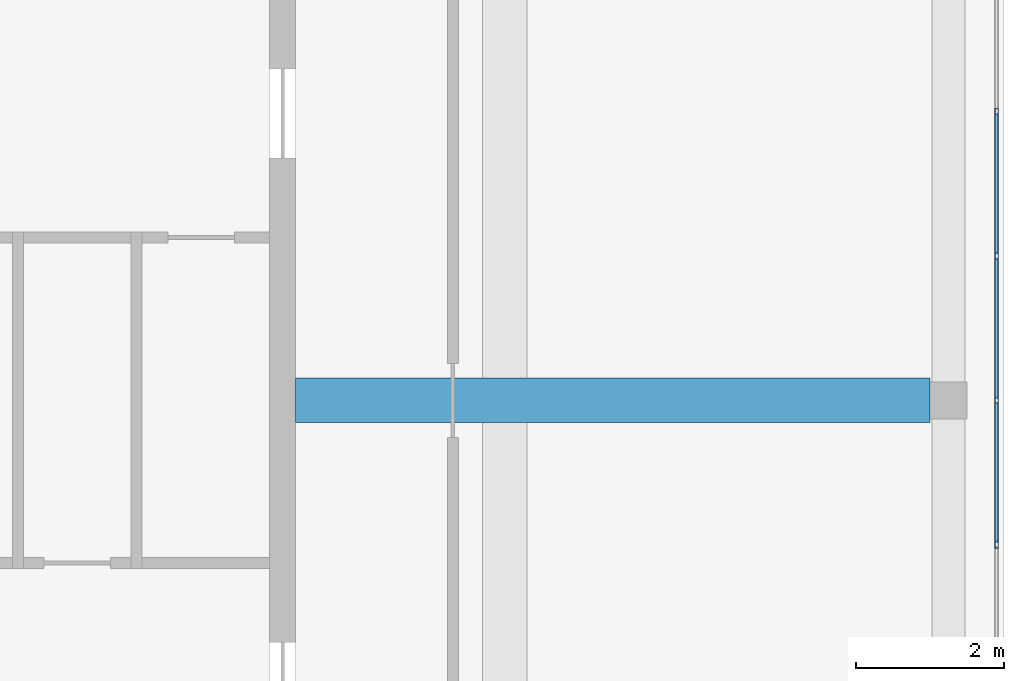
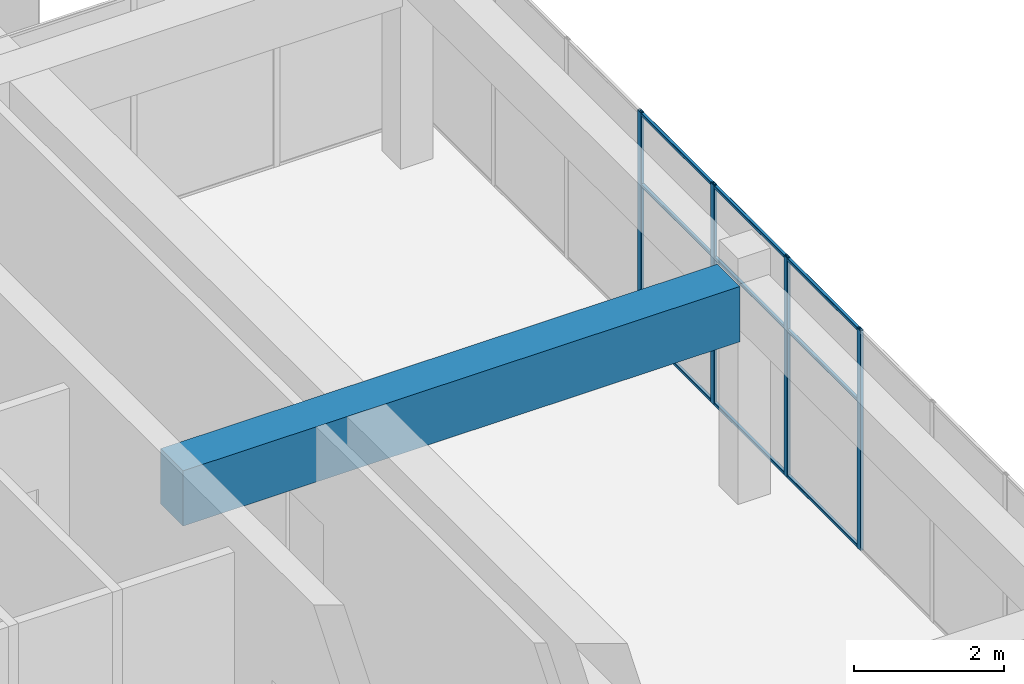
# One storey, part 18 of 36: 13 members, 1 beam, 1 element without a shape of its own.
"""IFC4 building model written with IfcOpenShell, lengths in metres."""

from ifc_helpers import new_model, si_unit, direction, frame, origin, origin_2d, place, context, subcontext, project, spatial, rectangle, hollow_rectangle, extrude, material, layer, layer_set, material_profile, profile_set, type_object, element, aggregate, save


model = new_model("IFC4")

# Units and contexts
model_context = context("Model", 3, precision=1e-05, world=origin(), true_north=direction((0.0, 1.0)))
body_context = subcontext(model_context, "Body", "Model", "MODEL_VIEW")
ifc_project = project(units=[si_unit("LENGTHUNIT", "METRE"), si_unit("AREAUNIT", "SQUARE_METRE"), si_unit("VOLUMEUNIT", "CUBIC_METRE"), si_unit("PLANEANGLEUNIT", "RADIAN"), si_unit("MASSUNIT", "GRAM", prefix="KILO")], contexts=[model_context])

# Site, building, storey
site_placement = place(None, origin())
site = spatial("IfcSite", under=ifc_project, at=site_placement, CompositionType="ELEMENT")
building_placement = place(site_placement, origin())
building = spatial("IfcBuilding", under=site, at=building_placement, Name="Tuart Plaza Theatre", CompositionType="ELEMENT")
storey_placement = place(building_placement, frame((0.0, 0.0, 61.5)))
storey = spatial("IfcBuildingStorey", under=building, at=storey_placement, Name="L15", CompositionType="ELEMENT", Elevation=61.5)

# Beam
ifc_material_1 = material(Name="Concrete N40 (40 MPa)", Category="concrete")
ifc_material_profile_1 = material_profile(ifc_material_1, rectangle(XDim=0.60009765625, YDim=0.89990234375, at=origin_2d()), Name="BEAM 600x900 Concrete N40 (40 MPa)")
ifc_profile_set_1 = profile_set([ifc_material_profile_1], Name="Concrete N40 (40 MPa)")
beam_type = type_object("IfcBeamType", Name="BEAM 600x900 Concrete N40 (40 MPa)", PredefinedType="BEAM", material=ifc_profile_set_1)
beam_placement = place(storey_placement, frame((141.175048828125, 74.0, 3.1298828125), z_axis=(1.0, 0.0, 0.0), x_axis=(0.0, 1.0, 0.0)))
element("IfcBeam", 1, at=beam_placement, inside=storey, type_object=beam_type, Name="RB343", PredefinedType="BEAM", context=body_context, shape_type="SweptSolid", body=[
    extrude(rectangle(XDim=0.60009765625, YDim=0.89990234375, at=origin_2d()), origin(), (0.0, 0.0, 1.0), 8.574951171875),
])

# Curtain wall, members
ifc_material_2 = material(Name="Aluminium and glass", Category="aluminium")
ifc_layer = layer(ifc_material_2, 0.10009765625)
ifc_layer_set = layer_set([ifc_layer], Name="CURTAIN WALL 2000 module")
curtain_wall_type = type_object("IfcCurtainWallType", Name="CURTAIN WALL 2000 module", PredefinedType="NOTDEFINED", material=ifc_layer_set)
curtain_wall_placement = place(storey_placement, origin())
curtain_wall = element("IfcCurtainWall", 2, at=curtain_wall_placement, inside=storey, type_object=curtain_wall_type, Name="CW114", PredefinedType="NOTDEFINED")
ifc_material_3 = material(Name="Aluminium 6063-T5", Category="aluminium")
ifc_material_profile_2 = material_profile(ifc_material_3, hollow_rectangle(XDim=0.050048828125, YDim=0.10009765625, WallThickness=0.00390625, InnerFilletRadius=0.00390625, OuterFilletRadius=0.008056640625, at=origin_2d()), Name="RHS 100x50x4")
ifc_profile_set_2 = profile_set([ifc_material_profile_2], Name="Aluminium 6063-T5")
member_type_1 = type_object("IfcMemberType", Name="MULLION RHS 100x50x4", PredefinedType="MULLION", material=ifc_profile_set_2)
member_1_placement = place(storey_placement, frame((150.64990234375, 72.050048828125, 0.0), z_axis=(0.0, 0.0, 1.0), x_axis=(-1.0, 0.0, 0.0)))
member_1 = element("IfcMember", 3, at=member_1_placement, type_object=member_type_1, Name="CW114 mullion 5", PredefinedType="MULLION", context=body_context, shape_type="SweptSolid", body=[
    extrude(hollow_rectangle(XDim=0.050048828125, YDim=0.10009765625, WallThickness=0.00390625, InnerFilletRadius=0.00390625, OuterFilletRadius=0.008056640625, at=origin_2d()), origin(), (0.0, 0.0, 1.0), 3.580078125),
])
member_2_placement = place(storey_placement, frame((150.64990234375, 74.0, 0.0), z_axis=(0.0, 0.0, 1.0), x_axis=(-1.0, 0.0, 0.0)))
member_2 = element("IfcMember", 4, at=member_2_placement, type_object=member_type_1, Name="CW114 mullion 6", PredefinedType="MULLION", context=body_context, shape_type="SweptSolid", body=[
    extrude(hollow_rectangle(XDim=0.050048828125, YDim=0.10009765625, WallThickness=0.00390625, InnerFilletRadius=0.00390625, OuterFilletRadius=0.008056640625, at=origin_2d()), origin(), (0.0, 0.0, 1.0), 3.580078125),
])
member_3_placement = place(storey_placement, frame((150.64990234375, 75.949951171875, 0.0), z_axis=(0.0, 0.0, 1.0), x_axis=(-1.0, 0.0, 0.0)))
member_3 = element("IfcMember", 5, at=member_3_placement, type_object=member_type_1, Name="CW114 mullion 7", PredefinedType="MULLION", context=body_context, shape_type="SweptSolid", body=[
    extrude(hollow_rectangle(XDim=0.050048828125, YDim=0.10009765625, WallThickness=0.00390625, InnerFilletRadius=0.00390625, OuterFilletRadius=0.008056640625, at=origin_2d()), origin(), (0.0, 0.0, 1.0), 3.580078125),
])
member_4_placement = place(storey_placement, frame((150.64990234375, 77.89990234375, 0.0), z_axis=(0.0, 0.0, 1.0), x_axis=(-1.0, 0.0, 0.0)))
member_4 = element("IfcMember", 6, at=member_4_placement, type_object=member_type_1, Name="CW114 mullion 8", PredefinedType="MULLION", context=body_context, shape_type="SweptSolid", body=[
    extrude(hollow_rectangle(XDim=0.050048828125, YDim=0.10009765625, WallThickness=0.00390625, InnerFilletRadius=0.00390625, OuterFilletRadius=0.008056640625, at=origin_2d()), origin(), (0.0, 0.0, 1.0), 3.580078125),
])
ifc_material_4 = material(Name="Aluminium 6063-T5", Category="aluminium")
ifc_material_profile_3 = material_profile(ifc_material_4, hollow_rectangle(XDim=0.050048828125, YDim=0.050048828125, WallThickness=0.00390625, InnerFilletRadius=0.00390625, OuterFilletRadius=0.008056640625, at=origin_2d()), Name="RHS 50x50x4")
ifc_profile_set_3 = profile_set([ifc_material_profile_3], Name="Aluminium 6063-T5")
member_type_2 = type_object("IfcMemberType", Name="TRANSOM RHS 50x50x4", PredefinedType="USERDEFINED", material=ifc_profile_set_3)
member_5_placement = place(storey_placement, frame((150.64990234375, 72.074951171875, 0.02490234375), z_axis=(0.0, 1.0, 0.0), x_axis=(-1.0, 0.0, 0.0)))
member_5 = element("IfcMember", 7, at=member_5_placement, type_object=member_type_2, Name="CW114 transom 5.1", ObjectType="TRANSOM", PredefinedType="USERDEFINED", context=body_context, shape_type="SweptSolid", body=[
    extrude(hollow_rectangle(XDim=0.050048828125, YDim=0.050048828125, WallThickness=0.00390625, InnerFilletRadius=0.00390625, OuterFilletRadius=0.008056640625, at=origin_2d()), origin(), (0.0, 0.0, 1.0), 1.900146484375),
])
member_6_placement = place(storey_placement, frame((150.64990234375, 72.074951171875, 2.39990234375), z_axis=(0.0, 1.0, 0.0), x_axis=(-1.0, 0.0, 0.0)))
member_6 = element("IfcMember", 8, at=member_6_placement, type_object=member_type_2, Name="CW114 transom 5.2", ObjectType="TRANSOM", PredefinedType="USERDEFINED", context=body_context, shape_type="SweptSolid", body=[
    extrude(hollow_rectangle(XDim=0.050048828125, YDim=0.050048828125, WallThickness=0.00390625, InnerFilletRadius=0.00390625, OuterFilletRadius=0.008056640625, at=origin_2d()), origin(), (0.0, 0.0, 1.0), 1.900146484375),
])
member_7_placement = place(storey_placement, frame((150.64990234375, 72.074951171875, 3.554931640625), z_axis=(0.0, 1.0, 0.0), x_axis=(-1.0, 0.0, 0.0)))
member_7 = element("IfcMember", 9, at=member_7_placement, type_object=member_type_2, Name="CW114 transom 5.3", ObjectType="TRANSOM", PredefinedType="USERDEFINED", context=body_context, shape_type="SweptSolid", body=[
    extrude(hollow_rectangle(XDim=0.050048828125, YDim=0.050048828125, WallThickness=0.00390625, InnerFilletRadius=0.00390625, OuterFilletRadius=0.008056640625, at=origin_2d()), origin(), (0.0, 0.0, 1.0), 1.900146484375),
])
member_8_placement = place(storey_placement, frame((150.64990234375, 74.02490234375, 0.02490234375), z_axis=(0.0, 1.0, 0.0), x_axis=(-1.0, 0.0, 0.0)))
member_8 = element("IfcMember", 10, at=member_8_placement, type_object=member_type_2, Name="CW114 transom 6.1", ObjectType="TRANSOM", PredefinedType="USERDEFINED", context=body_context, shape_type="SweptSolid", body=[
    extrude(hollow_rectangle(XDim=0.050048828125, YDim=0.050048828125, WallThickness=0.00390625, InnerFilletRadius=0.00390625, OuterFilletRadius=0.008056640625, at=origin_2d()), origin(), (0.0, 0.0, 1.0), 1.900146484375),
])
member_9_placement = place(storey_placement, frame((150.64990234375, 74.02490234375, 2.39990234375), z_axis=(0.0, 1.0, 0.0), x_axis=(-1.0, 0.0, 0.0)))
member_9 = element("IfcMember", 11, at=member_9_placement, type_object=member_type_2, Name="CW114 transom 6.2", ObjectType="TRANSOM", PredefinedType="USERDEFINED", context=body_context, shape_type="SweptSolid", body=[
    extrude(hollow_rectangle(XDim=0.050048828125, YDim=0.050048828125, WallThickness=0.00390625, InnerFilletRadius=0.00390625, OuterFilletRadius=0.008056640625, at=origin_2d()), origin(), (0.0, 0.0, 1.0), 1.900146484375),
])
member_10_placement = place(storey_placement, frame((150.64990234375, 74.02490234375, 3.554931640625), z_axis=(0.0, 1.0, 0.0), x_axis=(-1.0, 0.0, 0.0)))
member_10 = element("IfcMember", 12, at=member_10_placement, type_object=member_type_2, Name="CW114 transom 6.3", ObjectType="TRANSOM", PredefinedType="USERDEFINED", context=body_context, shape_type="SweptSolid", body=[
    extrude(hollow_rectangle(XDim=0.050048828125, YDim=0.050048828125, WallThickness=0.00390625, InnerFilletRadius=0.00390625, OuterFilletRadius=0.008056640625, at=origin_2d()), origin(), (0.0, 0.0, 1.0), 1.900146484375),
])
member_11_placement = place(storey_placement, frame((150.64990234375, 75.97509765625, 0.02490234375), z_axis=(0.0, 1.0, 0.0), x_axis=(-1.0, 0.0, 0.0)))
member_11 = element("IfcMember", 13, at=member_11_placement, type_object=member_type_2, Name="CW114 transom 7.1", ObjectType="TRANSOM", PredefinedType="USERDEFINED", context=body_context, shape_type="SweptSolid", body=[
    extrude(hollow_rectangle(XDim=0.050048828125, YDim=0.050048828125, WallThickness=0.00390625, InnerFilletRadius=0.00390625, OuterFilletRadius=0.008056640625, at=origin_2d()), origin(), (0.0, 0.0, 1.0), 1.89990234375),
])
member_12_placement = place(storey_placement, frame((150.64990234375, 75.97509765625, 2.39990234375), z_axis=(0.0, 1.0, 0.0), x_axis=(-1.0, 0.0, 0.0)))
member_12 = element("IfcMember", 14, at=member_12_placement, type_object=member_type_2, Name="CW114 transom 7.2", ObjectType="TRANSOM", PredefinedType="USERDEFINED", context=body_context, shape_type="SweptSolid", body=[
    extrude(hollow_rectangle(XDim=0.050048828125, YDim=0.050048828125, WallThickness=0.00390625, InnerFilletRadius=0.00390625, OuterFilletRadius=0.008056640625, at=origin_2d()), origin(), (0.0, 0.0, 1.0), 1.89990234375),
])
member_13_placement = place(storey_placement, frame((150.64990234375, 75.97509765625, 3.554931640625), z_axis=(0.0, 1.0, 0.0), x_axis=(-1.0, 0.0, 0.0)))
member_13 = element("IfcMember", 15, at=member_13_placement, type_object=member_type_2, Name="CW114 transom 7.3", ObjectType="TRANSOM", PredefinedType="USERDEFINED", context=body_context, shape_type="SweptSolid", body=[
    extrude(hollow_rectangle(XDim=0.050048828125, YDim=0.050048828125, WallThickness=0.00390625, InnerFilletRadius=0.00390625, OuterFilletRadius=0.008056640625, at=origin_2d()), origin(), (0.0, 0.0, 1.0), 1.89990234375),
])
aggregate(curtain_wall, [member_1, member_2, member_3, member_4, member_5, member_6, member_7, member_8, member_9, member_10, member_11, member_12, member_13])

save(model, "model.ifc")
